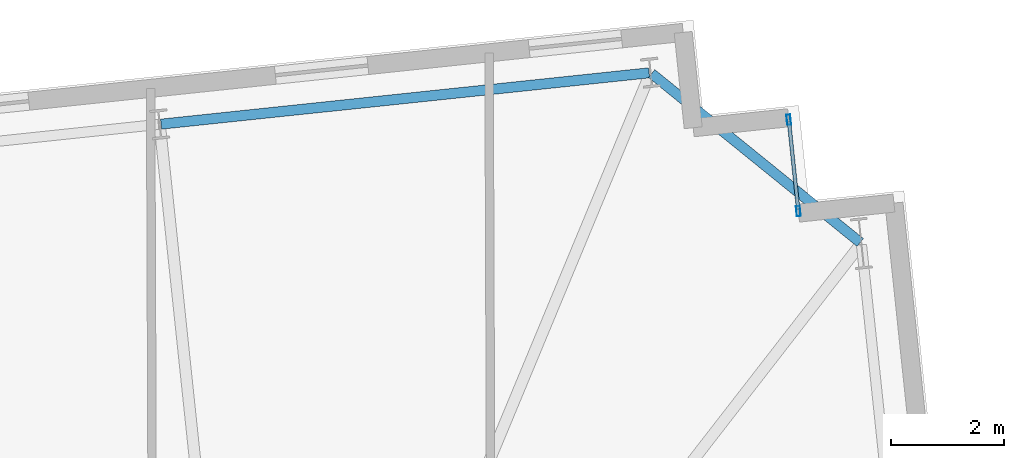
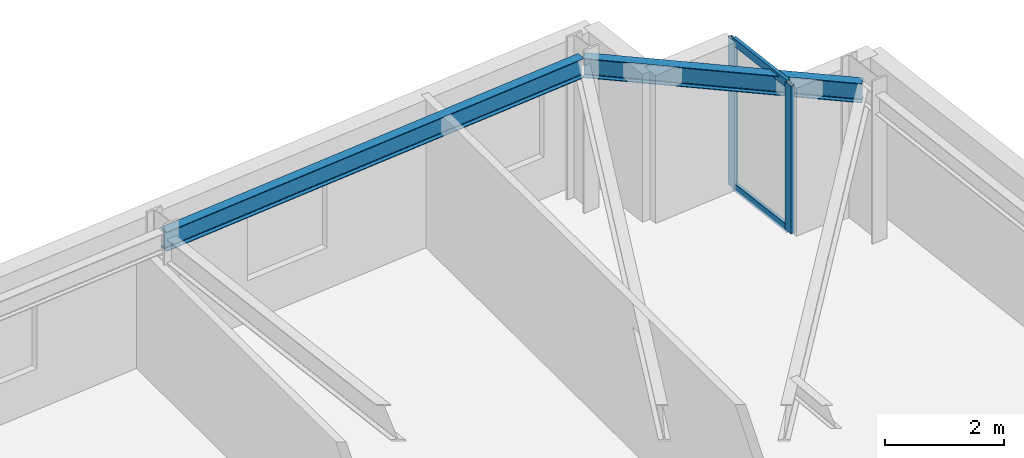
# One storey, part 10 of 17: 4 members, 2 beams, 1 element without a shape of its own.
"""IFC4 building model written with IfcOpenShell, lengths in metres."""

from ifc_helpers import new_model, si_unit, direction, frame, origin, origin_2d, place, context, subcontext, project, spatial, hollow_rectangle, i_section, extrude, material, layer, layer_set, material_profile, profile_set, type_object, element, aggregate, save


model = new_model("IFC4")

# Units and contexts
model_context = context("Model", 3, precision=1e-05, world=origin(), true_north=direction((0.0, 1.0)))
body_context = subcontext(model_context, "Body", "Model", "MODEL_VIEW")
ifc_project = project(units=[si_unit("LENGTHUNIT", "METRE"), si_unit("AREAUNIT", "SQUARE_METRE"), si_unit("VOLUMEUNIT", "CUBIC_METRE"), si_unit("PLANEANGLEUNIT", "RADIAN"), si_unit("MASSUNIT", "GRAM", prefix="KILO")], contexts=[model_context])

# Site, building, storey
site_placement = place(None, origin())
site = spatial("IfcSite", under=ifc_project, at=site_placement, CompositionType="ELEMENT")
building_placement = place(site_placement, origin())
building = spatial("IfcBuilding", under=site, at=building_placement, Name="Qobustan Lattice House", CompositionType="ELEMENT")
storey_placement = place(building_placement, frame((0.0, 0.0, 112.5)))
storey = spatial("IfcBuildingStorey", under=building, at=storey_placement, Name="L31", CompositionType="ELEMENT", Elevation=112.5)

# Beams
ifc_material_1 = material(Name="Steel S355", Category="steel")
ifc_material_profile_1 = material_profile(ifc_material_1, i_section(OverallWidth=0.179931640625, OverallDepth=0.39990234375, WebThickness=0.008544921875, FlangeThickness=0.013427734375, FilletRadius=0.02099609375, at=origin_2d()), Name="IPE400")
ifc_profile_set_1 = profile_set([ifc_material_profile_1], Name="Steel S355")
beam_type = type_object("IfcBeamType", Name="BM-SPD-IPE400", PredefinedType="SPANDREL", material=ifc_profile_set_1)
beam_1_placement = place(storey_placement, frame((29.536865234375, 19.484619140625, 2.844970703125), z_axis=(-0.777140911545, 0.629326627121, 0.0), x_axis=(-0.629326627121, -0.777140911545, 0.0)))
element("IfcBeam", 1, at=beam_1_placement, inside=storey, type_object=beam_type, Name="L31 perimeter spandrel E4-N1", PredefinedType="SPANDREL", context=body_context, shape_type="SweptSolid", body=[
    extrude(i_section(OverallWidth=0.179931640625, OverallDepth=0.39990234375, WebThickness=0.008544921875, FlangeThickness=0.013427734375, FilletRadius=0.02099609375, at=origin_2d()), origin(), (0.0, 0.0, 1.0), 4.758544921875),
])
beam_2_placement = place(storey_placement, frame((25.794677734375, 22.492431640625, 2.844970703125), z_axis=(-0.994521586424, -0.104531402636, 0.0), x_axis=(0.104531402636, -0.994521586424, 0.0)))
element("IfcBeam", 2, at=beam_2_placement, inside=storey, type_object=beam_type, Name="L31 perimeter spandrel N1-N2", PredefinedType="SPANDREL", context=body_context, shape_type="SweptSolid", body=[
    extrude(i_section(OverallWidth=0.179931640625, OverallDepth=0.39990234375, WebThickness=0.008544921875, FlangeThickness=0.013427734375, FilletRadius=0.02099609375, at=origin_2d()), origin(), (0.0, 0.0, 1.0), 8.699951171875),
])

# Curtain wall, members
ifc_material_2 = material(Name="Anodised aluminium and low-E glazing", Category="aluminium")
ifc_layer = layer(ifc_material_2, 0.219970703125)
ifc_layer_set = layer_set([ifc_layer], Name="Anodised aluminium and low-E glazing")
curtain_wall_type = type_object("IfcCurtainWallType", Name="CW-FAC-01", PredefinedType="USERDEFINED", material=ifc_layer_set)
curtain_wall_placement = place(storey_placement, origin())
curtain_wall = element("IfcCurtainWall", 3, at=curtain_wall_placement, inside=storey, type_object=curtain_wall_type, Name="L31 serrated corner faceted glazing 13", ObjectType="CURTAIN WALL", PredefinedType="USERDEFINED")
ifc_material_3 = material(Name="Anodised aluminium EN AW-6063 T6", Category="aluminium")
ifc_material_profile_2 = material_profile(ifc_material_3, hollow_rectangle(XDim=0.070068359375, YDim=0.179931640625, WallThickness=0.00439453125, at=origin_2d()), Name="CWM-180x70")
ifc_profile_set_2 = profile_set([ifc_material_profile_2], Name="Anodised aluminium EN AW-6063 T6")
member_type_1 = type_object("IfcMemberType", Name="CWM-STD-180", PredefinedType="MULLION", material=ifc_profile_set_2)
member_1_placement = place(storey_placement, frame((28.27001953125, 21.66162109375, 0.0), z_axis=(0.0, 0.0, 1.0), x_axis=(0.994521878892, 0.104528620025, 0.0)))
member_1 = element("IfcMember", 4, at=member_1_placement, type_object=member_type_1, Name="CW-F1 mullion 1", PredefinedType="MULLION", context=body_context, shape_type="SweptSolid", body=[
    extrude(hollow_rectangle(XDim=0.070068359375, YDim=0.179931640625, WallThickness=0.00439453125, at=origin_2d()), origin(), (0.0, 0.0, 1.0), 3.044921875),
])
member_2_placement = place(storey_placement, frame((28.4404296875, 20.04052734375, 0.0), z_axis=(0.0, 0.0, 1.0), x_axis=(0.994521878892, 0.104528620025, 0.0)))
member_2 = element("IfcMember", 5, at=member_2_placement, type_object=member_type_1, Name="CW-F1 mullion 2", PredefinedType="MULLION", context=body_context, shape_type="SweptSolid", body=[
    extrude(hollow_rectangle(XDim=0.070068359375, YDim=0.179931640625, WallThickness=0.00439453125, at=origin_2d()), origin(), (0.0, 0.0, 1.0), 3.044921875),
])
ifc_material_4 = material(Name="Anodised aluminium EN AW-6063 T6", Category="aluminium")
ifc_material_profile_3 = material_profile(ifc_material_4, hollow_rectangle(XDim=0.06494140625, YDim=0.159912109375, WallThickness=0.00390625, at=origin_2d()), Name="CWT-160x65")
ifc_profile_set_3 = profile_set([ifc_material_profile_3], Name="Anodised aluminium EN AW-6063 T6")
member_type_2 = type_object("IfcMemberType", Name="CWT-HOR-160", PredefinedType="USERDEFINED", material=ifc_profile_set_3)
member_3_placement = place(storey_placement, frame((28.273681640625, 21.626708984375, 0.032470703125), z_axis=(0.104538150424, -0.994520877159, 0.0), x_axis=(0.994520877159, 0.104538150424, 0.0)))
member_3 = element("IfcMember", 6, at=member_3_placement, type_object=member_type_2, Name="CW-F1 transom 1.1", ObjectType="TRANSOM", PredefinedType="USERDEFINED", context=body_context, shape_type="SweptSolid", body=[
    extrude(hollow_rectangle(XDim=0.06494140625, YDim=0.159912109375, WallThickness=0.00390625, at=origin_2d()), origin(), (0.0, 0.0, 1.0), 1.56005859375),
])
member_4_placement = place(storey_placement, frame((28.273681640625, 21.626708984375, 3.012451171875), z_axis=(0.104538150424, -0.994520877159, 0.0), x_axis=(0.994520877159, 0.104538150424, 0.0)))
member_4 = element("IfcMember", 7, at=member_4_placement, type_object=member_type_2, Name="CW-F1 transom 1.2", ObjectType="TRANSOM", PredefinedType="USERDEFINED", context=body_context, shape_type="SweptSolid", body=[
    extrude(hollow_rectangle(XDim=0.06494140625, YDim=0.159912109375, WallThickness=0.00390625, at=origin_2d()), origin(), (0.0, 0.0, 1.0), 1.56005859375),
])
aggregate(curtain_wall, [member_1, member_2, member_3, member_4])

save(model, "model.ifc")
